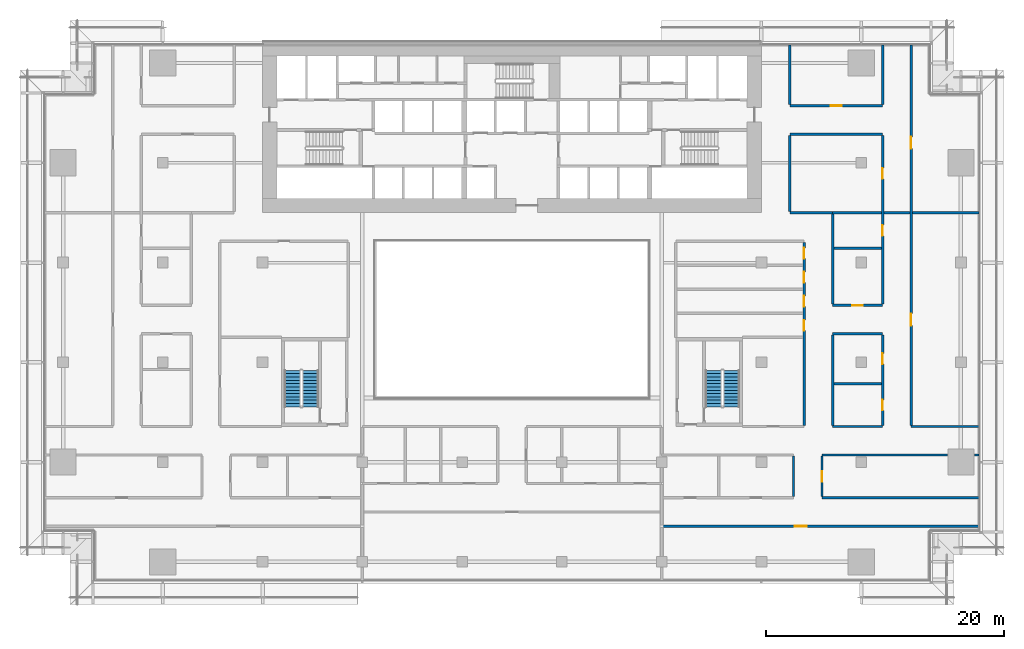
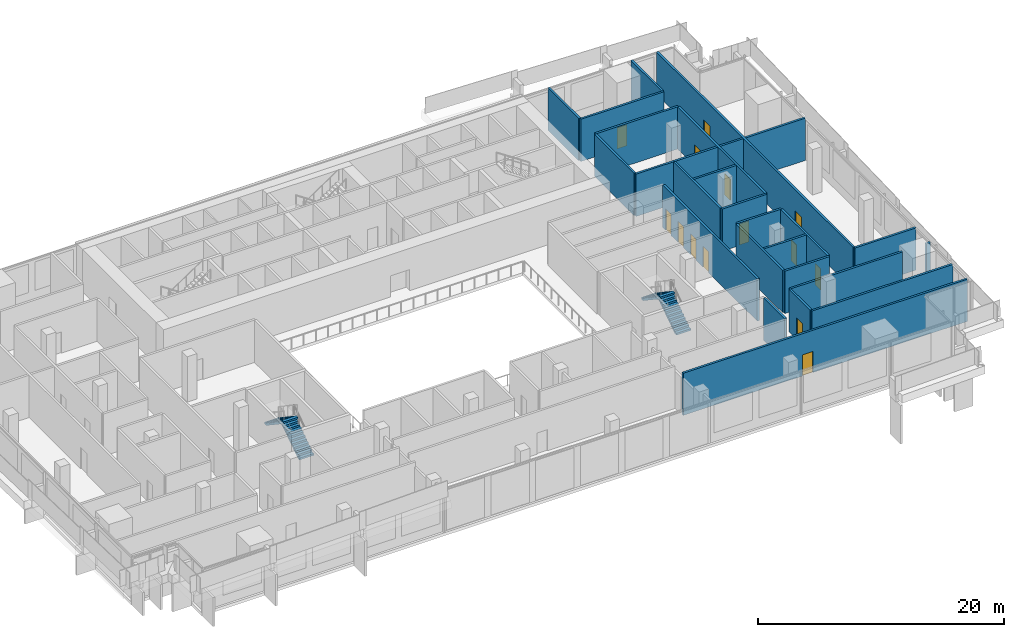
# One storey, part 18 of 23: 27 walls, 14 doors, 4 stair flights, 14 openings, 2 elements without a shape of their own.
"""IFC4 building model written with IfcOpenShell, lengths in metres."""

from ifc_helpers import new_model, si_unit, direction, frame, frame_2d, origin, place, context, subcontext, project, spatial, polyline, rectangle, outline, extrude, material, layer, layer_set, type_object, element, fill, aggregate, save


model = new_model("IFC4")

# Units and contexts
model_context = context("Model", 3, precision=1e-05, world=origin(), true_north=direction((0.0, 1.0)))
body_context = subcontext(model_context, "Body", "Model", "MODEL_VIEW")
ifc_project = project(units=[si_unit("LENGTHUNIT", "METRE"), si_unit("AREAUNIT", "SQUARE_METRE"), si_unit("VOLUMEUNIT", "CUBIC_METRE"), si_unit("PLANEANGLEUNIT", "RADIAN"), si_unit("MASSUNIT", "GRAM", prefix="KILO")], contexts=[model_context])

# Site, building, storey
site_placement = place(None, origin())
site = spatial("IfcSite", under=ifc_project, at=site_placement, CompositionType="ELEMENT")
building_placement = place(site_placement, origin())
building = spatial("IfcBuilding", under=site, at=building_placement, Name="Saffron Gate Tower", CompositionType="ELEMENT")
storey_placement = place(building_placement, frame((0.0, 0.0, 23.699951171875)))
storey = spatial("IfcBuildingStorey", under=building, at=storey_placement, Name="L04", CompositionType="ELEMENT", Elevation=23.699951171875)

# Wall, opening, door
ifc_material_1 = material(Name="Clay brick masonry, rendered", Category="masonry")
ifc_layer_1 = layer(ifc_material_1, 0.199951171875)
ifc_layer_set_1 = layer_set([ifc_layer_1], Name="PW3 Corridor wall 200")
wall_type_1 = type_object("IfcWallType", Name="PW3 Corridor wall 200", PredefinedType="PARTITIONING", material=ifc_layer_set_1)
wall_1_placement = place(storey_placement, frame((126.919921875, 34.800048828125, 0.0), z_axis=(0.0, 0.0, 1.0), x_axis=(-1.0, 0.0, 0.0)))
wall_1 = element("IfcWall", 1, at=wall_1_placement, inside=storey, type_object=wall_type_1, Name="Wall S2-2", PredefinedType="PARTITIONING", context=body_context, shape_type="SweptSolid", body=[
    extrude(rectangle(XDim=26.719970703125, YDim=0.199951171875, at=frame_2d((13.35986328125, 0.0))), origin(), (0.0, 0.0, 1.0), 4.199951171875),
])
opening_1_placement = place(wall_1_placement, frame((14.51611328125, 0.0, 0.0)))
opening_1 = element("IfcOpeningElement", 2, at=opening_1_placement, cuts=wall_1, Name="Opening S2-34", PredefinedType="OPENING", context=body_context, shape_type="SweptSolid", body=[
    extrude(rectangle(XDim=1.0, YDim=2.10009765625, at=frame_2d((0.5, 1.050048828125))), frame((0.0, 0.10986328125, 0.0), z_axis=(0.0, -1.0, 0.0), x_axis=(1.0, 0.0, 0.0)), (0.0, 0.0, 1.0), 0.219970703125),
])
ifc_material_2 = material(Name="Timber door set", Category="wood")
door_type_1 = type_object("IfcDoorType", Name="HD1 Hall door 1200x2100", OperationType="NOTDEFINED", PredefinedType="DOOR", material=ifc_material_2)
door_1_placement = place(opening_1_placement, origin())
door_1 = element("IfcDoor", 3, at=door_1_placement, inside=storey, type_object=door_type_1, Name="Door S2-34", OperationType="SINGLE_SWING_RIGHT", OverallHeight=2.10009765625, OverallWidth=1.0, PredefinedType="DOOR", context=body_context, shape_type="SweptSolid", body=[
    extrude(rectangle(XDim=1.0, YDim=2.10009765625, at=frame_2d((0.5, 1.050048828125))), frame((0.0, 0.02490234375, 0.0), z_axis=(0.0, -1.0, 0.0), x_axis=(1.0, 0.0, 0.0)), (0.0, 0.0, 1.0), 0.050048828125),
])
fill(opening_1, door_1)

# Walls
wall_2_placement = place(storey_placement, frame((113.699951171875, 37.199951171875, 0.0), z_axis=(0.0, 0.0, 1.0), x_axis=(1.0, 0.0, 0.0)))
element("IfcWall", 4, at=wall_2_placement, inside=storey, type_object=wall_type_1, Name="Wall S2-7", PredefinedType="PARTITIONING", context=body_context, shape_type="SweptSolid", body=[
    extrude(rectangle(XDim=13.219970703125, YDim=0.199951171875, at=frame_2d((6.60986328125, 0.0))), origin(), (0.0, 0.0, 1.0), 4.199951171875),
])
wall_3_placement = place(storey_placement, frame((113.699951171875, 40.800048828125, 0.0), z_axis=(0.0, 0.0, 1.0), x_axis=(1.0, 0.0, 0.0)))
element("IfcWall", 5, at=wall_3_placement, inside=storey, type_object=wall_type_1, Name="Wall S2-14", PredefinedType="PARTITIONING", context=body_context, shape_type="SweptSolid", body=[
    extrude(rectangle(XDim=10.580078125, YDim=0.199951171875, at=frame_2d((5.2900390625, 0.0))), origin(), (0.0, 0.0, 1.0), 4.199951171875),
])
wall_4_placement = place(storey_placement, frame((126.52001953125, 40.800048828125, 0.0), z_axis=(0.0, 0.0, 1.0), x_axis=(1.0, 0.0, 0.0)))
element("IfcWall", 6, at=wall_4_placement, inside=storey, type_object=wall_type_1, Name="Wall S2-15", PredefinedType="PARTITIONING", context=body_context, shape_type="SweptSolid", body=[
    extrude(rectangle(XDim=0.39990234375, YDim=0.199951171875, at=frame_2d((0.199951171875, 0.0))), origin(), (0.0, 0.0, 1.0), 4.199951171875),
])
wall_5_placement = place(storey_placement, frame((114.60009765625, 43.199951171875, 0.0), z_axis=(0.0, 0.0, 1.0), x_axis=(1.0, 0.0, 0.0)))
element("IfcWall", 7, at=wall_5_placement, inside=storey, type_object=wall_type_1, Name="Wall S2-22", PredefinedType="PARTITIONING", context=body_context, shape_type="SweptSolid", body=[
    extrude(rectangle(XDim=4.199951171875, YDim=0.199951171875, at=frame_2d((2.10009765625, 0.0))), origin(), (0.0, 0.0, 1.0), 4.199951171875),
])
wall_6_placement = place(storey_placement, frame((121.199951171875, 43.199951171875, 0.0), z_axis=(0.0, 0.0, 1.0), x_axis=(1.0, 0.0, 0.0)))
element("IfcWall", 8, at=wall_6_placement, inside=storey, type_object=wall_type_1, Name="Wall S2-23", PredefinedType="PARTITIONING", context=body_context, shape_type="SweptSolid", body=[
    extrude(rectangle(XDim=5.719970703125, YDim=0.199951171875, at=frame_2d((2.85986328125, 0.0))), origin(), (0.0, 0.0, 1.0), 4.199951171875),
])
wall_7_placement = place(storey_placement, frame((114.60009765625, 51.0, 0.0), z_axis=(0.0, 0.0, 1.0), x_axis=(1.0, 0.0, 0.0)))
element("IfcWall", 9, at=wall_7_placement, inside=storey, type_object=wall_type_1, Name="Wall S2-29", PredefinedType="PARTITIONING", context=body_context, shape_type="SweptSolid", body=[
    extrude(rectangle(XDim=4.199951171875, YDim=0.199951171875, at=frame_2d((2.10009765625, 0.0))), origin(), (0.0, 0.0, 1.0), 4.199951171875),
])

# Wall, opening, door
wall_8_placement = place(storey_placement, frame((114.60009765625, 53.39990234375, 0.0), z_axis=(0.0, 0.0, 1.0), x_axis=(1.0, 0.0, 0.0)))
wall_8 = element("IfcWall", 10, at=wall_8_placement, inside=storey, type_object=wall_type_1, Name="Wall S2-32", PredefinedType="PARTITIONING", context=body_context, shape_type="SweptSolid", body=[
    extrude(rectangle(XDim=4.199951171875, YDim=0.199951171875, at=frame_2d((2.10009765625, 0.0))), origin(), (0.0, 0.0, 1.0), 4.199951171875),
])
opening_2_placement = place(wall_8_placement, frame((1.64990234375, 0.0, 0.0)))
opening_2 = element("IfcOpeningElement", 11, at=opening_2_placement, cuts=wall_8, Name="Opening S2-26", PredefinedType="OPENING", context=body_context, shape_type="SweptSolid", body=[
    extrude(rectangle(XDim=0.89990234375, YDim=2.10009765625, at=frame_2d((0.449951171875, 1.050048828125))), frame((0.0, 0.10986328125, 0.0), z_axis=(0.0, -1.0, 0.0), x_axis=(1.0, 0.0, 0.0)), (0.0, 0.0, 1.0), 0.219970703125),
])
door_type_2 = type_object("IfcDoorType", Name="RD1 Room door 900x2100", OperationType="NOTDEFINED", PredefinedType="DOOR", material=ifc_material_2)
door_2_placement = place(opening_2_placement, origin())
door_2 = element("IfcDoor", 12, at=door_2_placement, inside=storey, type_object=door_type_2, Name="Door S2-26", OperationType="SINGLE_SWING_RIGHT", OverallHeight=2.10009765625, OverallWidth=0.89990234375, PredefinedType="DOOR", context=body_context, shape_type="SweptSolid", body=[
    extrude(rectangle(XDim=0.89990234375, YDim=2.10009765625, at=frame_2d((0.449951171875, 1.050048828125))), frame((0.0, 0.02490234375, 0.0), z_axis=(0.0, -1.0, 0.0), x_axis=(1.0, 0.0, 0.0)), (0.0, 0.0, 1.0), 0.050048828125),
])
fill(opening_2, door_2)

# Walls
wall_9_placement = place(storey_placement, frame((111.0, 61.199951171875, 0.0), z_axis=(0.0, 0.0, 1.0), x_axis=(1.0, 0.0, 0.0)))
element("IfcWall", 13, at=wall_9_placement, inside=storey, type_object=wall_type_1, Name="Wall S2-42", PredefinedType="PARTITIONING", context=body_context, shape_type="SweptSolid", body=[
    extrude(rectangle(XDim=3.60009765625, YDim=0.199951171875, at=frame_2d((1.800048828125, 0.0))), origin(), (0.0, 0.0, 1.0), 4.199951171875),
])
wall_10_placement = place(storey_placement, frame((118.89990234375, 61.199951171875, 0.0), z_axis=(0.0, 0.0, 1.0), x_axis=(1.0, 0.0, 0.0)))
element("IfcWall", 14, at=wall_10_placement, inside=storey, type_object=wall_type_1, Name="Wall S2-43", PredefinedType="PARTITIONING", context=body_context, shape_type="SweptSolid", body=[
    extrude(rectangle(XDim=2.2001953125, YDim=0.199951171875, at=frame_2d((1.10009765625, 0.0))), origin(), (0.0, 0.0, 1.0), 4.199951171875),
])
wall_11_placement = place(storey_placement, frame((111.0, 67.800048828125, 0.0), z_axis=(0.0, 0.0, 1.0), x_axis=(1.0, 0.0, 0.0)))
element("IfcWall", 15, at=wall_11_placement, inside=storey, type_object=wall_type_1, Name="Wall S2-49", PredefinedType="PARTITIONING", context=body_context, shape_type="SweptSolid", body=[
    extrude(rectangle(XDim=7.800048828125, YDim=0.199951171875, at=frame_2d((3.89990234375, 0.0))), origin(), (0.0, 0.0, 1.0), 4.199951171875),
])

# Wall, opening, door
wall_12_placement = place(storey_placement, frame((111.0, 70.199951171875, 0.0), z_axis=(0.0, 0.0, 1.0), x_axis=(1.0, 0.0, 0.0)))
wall_12 = element("IfcWall", 16, at=wall_12_placement, inside=storey, type_object=wall_type_1, Name="Wall S2-51", PredefinedType="PARTITIONING", context=body_context, shape_type="SweptSolid", body=[
    extrude(rectangle(XDim=7.800048828125, YDim=0.199951171875, at=frame_2d((3.89990234375, 0.0))), origin(), (0.0, 0.0, 1.0), 4.199951171875),
])
opening_3_placement = place(wall_12_placement, frame((3.449951171875, 0.0, 0.0)))
opening_3 = element("IfcOpeningElement", 17, at=opening_3_placement, cuts=wall_12, Name="Opening S2-29", PredefinedType="OPENING", context=body_context, shape_type="SweptSolid", body=[
    extrude(rectangle(XDim=0.89990234375, YDim=2.10009765625, at=frame_2d((0.449951171875, 1.050048828125))), frame((0.0, 0.10986328125, 0.0), z_axis=(0.0, -1.0, 0.0), x_axis=(1.0, 0.0, 0.0)), (0.0, 0.0, 1.0), 0.219970703125),
])
door_3_placement = place(opening_3_placement, origin())
door_3 = element("IfcDoor", 18, at=door_3_placement, inside=storey, type_object=door_type_2, Name="Door S2-29", OperationType="SINGLE_SWING_RIGHT", OverallHeight=2.10009765625, OverallWidth=0.89990234375, PredefinedType="DOOR", context=body_context, shape_type="SweptSolid", body=[
    extrude(rectangle(XDim=0.89990234375, YDim=2.10009765625, at=frame_2d((0.449951171875, 1.050048828125))), frame((0.0, 0.02490234375, 0.0), z_axis=(0.0, -1.0, 0.0), x_axis=(1.0, 0.0, 0.0)), (0.0, 0.0, 1.0), 0.050048828125),
])
fill(opening_3, door_3)

# Walls
wall_13_placement = place(storey_placement, frame((111.0, 67.699951171875, 0.0), z_axis=(0.0, 0.0, 1.0), x_axis=(0.0, -1.0, 0.0)))
element("IfcWall", 19, at=wall_13_placement, inside=storey, type_object=wall_type_1, Name="Wall S2-84", PredefinedType="PARTITIONING", context=body_context, shape_type="SweptSolid", body=[
    extrude(rectangle(XDim=6.39990234375, YDim=0.199951171875, at=frame_2d((3.199951171875, 0.0))), origin(), (0.0, 0.0, 1.0), 4.199951171875),
])
wall_14_placement = place(storey_placement, frame((111.0, 75.320068359375, 0.0), z_axis=(0.0, 0.0, 1.0), x_axis=(0.0, -1.0, 0.0)))
element("IfcWall", 20, at=wall_14_placement, inside=storey, type_object=wall_type_1, Name="Wall S2-85", PredefinedType="PARTITIONING", context=body_context, shape_type="SweptSolid", body=[
    extrude(rectangle(XDim=5.02001953125, YDim=0.199951171875, at=frame_2d((2.510009765625, 0.0))), origin(), (0.0, 0.0, 1.0), 4.199951171875),
])
wall_15_placement = place(storey_placement, frame((111.300048828125, 40.699951171875, 0.0), z_axis=(0.0, 0.0, 1.0), x_axis=(0.0, -1.0, 0.0)))
element("IfcWall", 21, at=wall_15_placement, inside=storey, type_object=wall_type_1, Name="Wall S2-86", PredefinedType="PARTITIONING", context=body_context, shape_type="SweptSolid", body=[
    extrude(rectangle(XDim=3.39990234375, YDim=0.199951171875, at=frame_2d((1.699951171875, 0.0))), origin(), (0.0, 0.0, 1.0), 4.199951171875),
])

# Wall, openings, doors
wall_16_placement = place(storey_placement, frame((112.199951171875, 43.300048828125, 0.0), z_axis=(0.0, 0.0, 1.0), x_axis=(0.0, 1.0, 0.0)))
wall_16 = element("IfcWall", 22, at=wall_16_placement, inside=storey, type_object=wall_type_1, Name="Wall S2-87", PredefinedType="PARTITIONING", context=body_context, shape_type="SweptSolid", body=[
    extrude(rectangle(XDim=15.39990234375, YDim=0.199951171875, at=frame_2d((7.699951171875, 0.0))), origin(), (0.0, 0.0, 1.0), 4.199951171875),
])
opening_4_placement = place(wall_16_placement, frame((7.96240234375, 0.0, 0.0)))
opening_4 = element("IfcOpeningElement", 23, at=opening_4_placement, cuts=wall_16, Name="Opening S2-1", PredefinedType="OPENING", context=body_context, shape_type="SweptSolid", body=[
    extrude(rectangle(XDim=0.89990234375, YDim=2.10009765625, at=frame_2d((0.449951171875, 1.050048828125))), frame((0.0, 0.10986328125, 0.0), z_axis=(0.0, -1.0, 0.0), x_axis=(1.0, 0.0, 0.0)), (0.0, 0.0, 1.0), 0.219970703125),
])
opening_5_placement = place(wall_16_placement, frame((9.987548828125, 0.0, 0.0)))
opening_5 = element("IfcOpeningElement", 24, at=opening_5_placement, cuts=wall_16, Name="Opening S2-2", PredefinedType="OPENING", context=body_context, shape_type="SweptSolid", body=[
    extrude(rectangle(XDim=0.89990234375, YDim=2.10009765625, at=frame_2d((0.449951171875, 1.050048828125))), frame((0.0, 0.10986328125, 0.0), z_axis=(0.0, -1.0, 0.0), x_axis=(1.0, 0.0, 0.0)), (0.0, 0.0, 1.0), 0.219970703125),
])
opening_6_placement = place(wall_16_placement, frame((12.012451171875, 0.0, 0.0)))
opening_6 = element("IfcOpeningElement", 25, at=opening_6_placement, cuts=wall_16, Name="Opening S2-3", PredefinedType="OPENING", context=body_context, shape_type="SweptSolid", body=[
    extrude(rectangle(XDim=0.89990234375, YDim=2.10009765625, at=frame_2d((0.449951171875, 1.050048828125))), frame((0.0, 0.10986328125, 0.0), z_axis=(0.0, -1.0, 0.0), x_axis=(1.0, 0.0, 0.0)), (0.0, 0.0, 1.0), 0.219970703125),
])
opening_7_placement = place(wall_16_placement, frame((14.03759765625, 0.0, 0.0)))
opening_7 = element("IfcOpeningElement", 26, at=opening_7_placement, cuts=wall_16, Name="Opening S2-4", PredefinedType="OPENING", context=body_context, shape_type="SweptSolid", body=[
    extrude(rectangle(XDim=0.89990234375, YDim=2.10009765625, at=frame_2d((0.449951171875, 1.050048828125))), frame((0.0, 0.10986328125, 0.0), z_axis=(0.0, -1.0, 0.0), x_axis=(1.0, 0.0, 0.0)), (0.0, 0.0, 1.0), 0.219970703125),
])
door_4_placement = place(opening_4_placement, origin())
door_4 = element("IfcDoor", 27, at=door_4_placement, inside=storey, type_object=door_type_2, Name="Door S2-1", OperationType="SINGLE_SWING_LEFT", OverallHeight=2.10009765625, OverallWidth=0.89990234375, PredefinedType="DOOR", context=body_context, shape_type="SweptSolid", body=[
    extrude(rectangle(XDim=0.89990234375, YDim=2.10009765625, at=frame_2d((0.449951171875, 1.050048828125))), frame((0.0, 0.02490234375, 0.0), z_axis=(0.0, -1.0, 0.0), x_axis=(1.0, 0.0, 0.0)), (0.0, 0.0, 1.0), 0.050048828125),
])
fill(opening_4, door_4)
door_5_placement = place(opening_5_placement, origin())
door_5 = element("IfcDoor", 28, at=door_5_placement, inside=storey, type_object=door_type_2, Name="Door S2-2", OperationType="SINGLE_SWING_LEFT", OverallHeight=2.10009765625, OverallWidth=0.89990234375, PredefinedType="DOOR", context=body_context, shape_type="SweptSolid", body=[
    extrude(rectangle(XDim=0.89990234375, YDim=2.10009765625, at=frame_2d((0.449951171875, 1.050048828125))), frame((0.0, 0.02490234375, 0.0), z_axis=(0.0, -1.0, 0.0), x_axis=(1.0, 0.0, 0.0)), (0.0, 0.0, 1.0), 0.050048828125),
])
fill(opening_5, door_5)
door_6_placement = place(opening_6_placement, origin())
door_6 = element("IfcDoor", 29, at=door_6_placement, inside=storey, type_object=door_type_2, Name="Door S2-3", OperationType="SINGLE_SWING_LEFT", OverallHeight=2.10009765625, OverallWidth=0.89990234375, PredefinedType="DOOR", context=body_context, shape_type="SweptSolid", body=[
    extrude(rectangle(XDim=0.89990234375, YDim=2.10009765625, at=frame_2d((0.449951171875, 1.050048828125))), frame((0.0, 0.02490234375, 0.0), z_axis=(0.0, -1.0, 0.0), x_axis=(1.0, 0.0, 0.0)), (0.0, 0.0, 1.0), 0.050048828125),
])
fill(opening_6, door_6)
door_7_placement = place(opening_7_placement, origin())
door_7 = element("IfcDoor", 30, at=door_7_placement, inside=storey, type_object=door_type_2, Name="Door S2-4", OperationType="SINGLE_SWING_RIGHT", OverallHeight=2.10009765625, OverallWidth=0.89990234375, PredefinedType="DOOR", context=body_context, shape_type="SweptSolid", body=[
    extrude(rectangle(XDim=0.89990234375, YDim=2.10009765625, at=frame_2d((0.449951171875, 1.050048828125))), frame((0.0, 0.02490234375, 0.0), z_axis=(0.0, -1.0, 0.0), x_axis=(1.0, 0.0, 0.0)), (0.0, 0.0, 1.0), 0.050048828125),
])
fill(opening_7, door_7)

# Wall, opening, door
wall_17_placement = place(storey_placement, frame((113.699951171875, 40.699951171875, 0.0), z_axis=(0.0, 0.0, 1.0), x_axis=(0.0, -1.0, 0.0)))
wall_17 = element("IfcWall", 31, at=wall_17_placement, inside=storey, type_object=wall_type_1, Name="Wall S2-88", PredefinedType="PARTITIONING", context=body_context, shape_type="SweptSolid", body=[
    extrude(rectangle(XDim=3.39990234375, YDim=0.199951171875, at=frame_2d((1.699951171875, 0.0))), origin(), (0.0, 0.0, 1.0), 4.199951171875),
])
opening_8_placement = place(wall_17_placement, frame((1.25, 0.0, 0.0)))
opening_8 = element("IfcOpeningElement", 32, at=opening_8_placement, cuts=wall_17, Name="Opening S2-17", PredefinedType="OPENING", context=body_context, shape_type="SweptSolid", body=[
    extrude(rectangle(XDim=0.89990234375, YDim=2.10009765625, at=frame_2d((0.449951171875, 1.050048828125))), frame((0.0, 0.10986328125, 0.0), z_axis=(0.0, -1.0, 0.0), x_axis=(1.0, 0.0, 0.0)), (0.0, 0.0, 1.0), 0.219970703125),
])
door_8_placement = place(opening_8_placement, origin())
door_8 = element("IfcDoor", 33, at=door_8_placement, inside=storey, type_object=door_type_2, Name="Door S2-17", OperationType="SINGLE_SWING_LEFT", OverallHeight=2.10009765625, OverallWidth=0.89990234375, PredefinedType="DOOR", context=body_context, shape_type="SweptSolid", body=[
    extrude(rectangle(XDim=0.89990234375, YDim=2.10009765625, at=frame_2d((0.449951171875, 1.050048828125))), frame((0.0, 0.02490234375, 0.0), z_axis=(0.0, -1.0, 0.0), x_axis=(1.0, 0.0, 0.0)), (0.0, 0.0, 1.0), 0.050048828125),
])
fill(opening_8, door_8)

# Walls
wall_18_placement = place(storey_placement, frame((114.60009765625, 50.89990234375, 0.0), z_axis=(0.0, 0.0, 1.0), x_axis=(0.0, -1.0, 0.0)))
element("IfcWall", 34, at=wall_18_placement, inside=storey, type_object=wall_type_1, Name="Wall S2-89", PredefinedType="PARTITIONING", context=body_context, shape_type="SweptSolid", body=[
    extrude(rectangle(XDim=7.599853515625, YDim=0.199951171875, at=frame_2d((3.7998046875, 0.0))), origin(), (0.0, 0.0, 1.0), 4.199951171875),
])
wall_19_placement = place(storey_placement, frame((114.60009765625, 61.10009765625, 0.0), z_axis=(0.0, 0.0, 1.0), x_axis=(0.0, -1.0, 0.0)))
element("IfcWall", 35, at=wall_19_placement, inside=storey, type_object=wall_type_1, Name="Wall S2-90", PredefinedType="PARTITIONING", context=body_context, shape_type="SweptSolid", body=[
    extrude(rectangle(XDim=7.60009765625, YDim=0.199951171875, at=frame_2d((3.800048828125, 0.0))), origin(), (0.0, 0.0, 1.0), 4.199951171875),
])

# Wall, openings, doors
wall_20_placement = place(storey_placement, frame((118.800048828125, 43.300048828125, 0.0), z_axis=(0.0, 0.0, 1.0), x_axis=(0.0, 1.0, 0.0)))
wall_20 = element("IfcWall", 36, at=wall_20_placement, inside=storey, type_object=wall_type_1, Name="Wall S2-91", PredefinedType="PARTITIONING", context=body_context, shape_type="SweptSolid", body=[
    extrude(rectangle(XDim=7.599853515625, YDim=0.199951171875, at=frame_2d((3.7998046875, 0.0))), origin(), (0.0, 0.0, 1.0), 4.199951171875),
])
opening_9_placement = place(wall_20_placement, frame((1.25, 0.0, 0.0)))
opening_9 = element("IfcOpeningElement", 37, at=opening_9_placement, cuts=wall_20, Name="Opening S2-24", PredefinedType="OPENING", context=body_context, shape_type="SweptSolid", body=[
    extrude(rectangle(XDim=0.89990234375, YDim=2.10009765625, at=frame_2d((0.449951171875, 1.050048828125))), frame((0.0, 0.10986328125, 0.0), z_axis=(0.0, -1.0, 0.0), x_axis=(1.0, 0.0, 0.0)), (0.0, 0.0, 1.0), 0.219970703125),
])
opening_10_placement = place(wall_20_placement, frame((5.14990234375, 0.0, 0.0)))
opening_10 = element("IfcOpeningElement", 38, at=opening_10_placement, cuts=wall_20, Name="Opening S2-25", PredefinedType="OPENING", context=body_context, shape_type="SweptSolid", body=[
    extrude(rectangle(XDim=0.89990234375, YDim=2.10009765625, at=frame_2d((0.449951171875, 1.050048828125))), frame((0.0, 0.10986328125, 0.0), z_axis=(0.0, -1.0, 0.0), x_axis=(1.0, 0.0, 0.0)), (0.0, 0.0, 1.0), 0.219970703125),
])
door_9_placement = place(opening_9_placement, origin())
door_9 = element("IfcDoor", 39, at=door_9_placement, inside=storey, type_object=door_type_2, Name="Door S2-24", OperationType="SINGLE_SWING_LEFT", OverallHeight=2.10009765625, OverallWidth=0.89990234375, PredefinedType="DOOR", context=body_context, shape_type="SweptSolid", body=[
    extrude(rectangle(XDim=0.89990234375, YDim=2.10009765625, at=frame_2d((0.449951171875, 1.050048828125))), frame((0.0, 0.02490234375, 0.0), z_axis=(0.0, -1.0, 0.0), x_axis=(1.0, 0.0, 0.0)), (0.0, 0.0, 1.0), 0.050048828125),
])
fill(opening_9, door_9)
door_10_placement = place(opening_10_placement, origin())
door_10 = element("IfcDoor", 40, at=door_10_placement, inside=storey, type_object=door_type_2, Name="Door S2-25", OperationType="SINGLE_SWING_RIGHT", OverallHeight=2.10009765625, OverallWidth=0.89990234375, PredefinedType="DOOR", context=body_context, shape_type="SweptSolid", body=[
    extrude(rectangle(XDim=0.89990234375, YDim=2.10009765625, at=frame_2d((0.449951171875, 1.050048828125))), frame((0.0, 0.02490234375, 0.0), z_axis=(0.0, -1.0, 0.0), x_axis=(1.0, 0.0, 0.0)), (0.0, 0.0, 1.0), 0.050048828125),
])
fill(opening_10, door_10)

wall_21_placement = place(storey_placement, frame((118.800048828125, 53.5, 0.0), z_axis=(0.0, 0.0, 1.0), x_axis=(0.0, 1.0, 0.0)))
wall_21 = element("IfcWall", 41, at=wall_21_placement, inside=storey, type_object=wall_type_1, Name="Wall S2-92", PredefinedType="PARTITIONING", context=body_context, shape_type="SweptSolid", body=[
    extrude(rectangle(XDim=14.199951171875, YDim=0.199951171875, at=frame_2d((7.10009765625, 0.0))), origin(), (0.0, 0.0, 1.0), 4.199951171875),
])
opening_11_placement = place(wall_21_placement, frame((5.75, 0.0, 0.0)))
opening_11 = element("IfcOpeningElement", 42, at=opening_11_placement, cuts=wall_21, Name="Opening S2-27", PredefinedType="OPENING", context=body_context, shape_type="SweptSolid", body=[
    extrude(rectangle(XDim=0.89990234375, YDim=2.10009765625, at=frame_2d((0.449951171875, 1.050048828125))), frame((0.0, 0.10986328125, 0.0), z_axis=(0.0, -1.0, 0.0), x_axis=(1.0, 0.0, 0.0)), (0.0, 0.0, 1.0), 0.219970703125),
])
opening_12_placement = place(wall_21_placement, frame((10.550048828125, 0.0, 0.0)))
opening_12 = element("IfcOpeningElement", 43, at=opening_12_placement, cuts=wall_21, Name="Opening S2-28", PredefinedType="OPENING", context=body_context, shape_type="SweptSolid", body=[
    extrude(rectangle(XDim=0.89990234375, YDim=2.10009765625, at=frame_2d((0.449951171875, 1.050048828125))), frame((0.0, 0.10986328125, 0.0), z_axis=(0.0, -1.0, 0.0), x_axis=(1.0, 0.0, 0.0)), (0.0, 0.0, 1.0), 0.219970703125),
])
door_11_placement = place(opening_11_placement, origin())
door_11 = element("IfcDoor", 44, at=door_11_placement, inside=storey, type_object=door_type_2, Name="Door S2-27", OperationType="SINGLE_SWING_LEFT", OverallHeight=2.10009765625, OverallWidth=0.89990234375, PredefinedType="DOOR", context=body_context, shape_type="SweptSolid", body=[
    extrude(rectangle(XDim=0.89990234375, YDim=2.10009765625, at=frame_2d((0.449951171875, 1.050048828125))), frame((0.0, 0.02490234375, 0.0), z_axis=(0.0, -1.0, 0.0), x_axis=(1.0, 0.0, 0.0)), (0.0, 0.0, 1.0), 0.050048828125),
])
fill(opening_11, door_11)
door_12_placement = place(opening_12_placement, origin())
door_12 = element("IfcDoor", 45, at=door_12_placement, inside=storey, type_object=door_type_2, Name="Door S2-28", OperationType="SINGLE_SWING_RIGHT", OverallHeight=2.10009765625, OverallWidth=0.89990234375, PredefinedType="DOOR", context=body_context, shape_type="SweptSolid", body=[
    extrude(rectangle(XDim=0.89990234375, YDim=2.10009765625, at=frame_2d((0.449951171875, 1.050048828125))), frame((0.0, 0.02490234375, 0.0), z_axis=(0.0, -1.0, 0.0), x_axis=(1.0, 0.0, 0.0)), (0.0, 0.0, 1.0), 0.050048828125),
])
fill(opening_12, door_12)

# Wall
wall_22_placement = place(storey_placement, frame((118.800048828125, 75.320068359375, 0.0), z_axis=(0.0, 0.0, 1.0), x_axis=(0.0, -1.0, 0.0)))
element("IfcWall", 46, at=wall_22_placement, inside=storey, type_object=wall_type_1, Name="Wall S2-93", PredefinedType="PARTITIONING", context=body_context, shape_type="SweptSolid", body=[
    extrude(rectangle(XDim=5.02001953125, YDim=0.199951171875, at=frame_2d((2.510009765625, 0.0))), origin(), (0.0, 0.0, 1.0), 4.199951171875),
])

# Wall, openings, doors
wall_23_placement = place(storey_placement, frame((121.199951171875, 75.320068359375, 0.0), z_axis=(0.0, 0.0, 1.0), x_axis=(0.0, -1.0, 0.0)))
wall_23 = element("IfcWall", 47, at=wall_23_placement, inside=storey, type_object=wall_type_1, Name="Wall S2-94", PredefinedType="PARTITIONING", context=body_context, shape_type="SweptSolid", body=[
    extrude(rectangle(XDim=32.02001953125, YDim=0.199951171875, at=frame_2d((16.010009765625, 0.0))), origin(), (0.0, 0.0, 1.0), 4.199951171875),
])
opening_13_placement = place(wall_23_placement, frame((7.728515625, 0.0, 0.0)))
opening_13 = element("IfcOpeningElement", 48, at=opening_13_placement, cuts=wall_23, Name="Opening S2-38", PredefinedType="OPENING", context=body_context, shape_type="SweptSolid", body=[
    extrude(rectangle(XDim=1.0, YDim=2.10009765625, at=frame_2d((0.5, 1.050048828125))), frame((0.0, 0.10986328125, 0.0), z_axis=(0.0, -1.0, 0.0), x_axis=(1.0, 0.0, 0.0)), (0.0, 0.0, 1.0), 0.219970703125),
])
opening_14_placement = place(wall_23_placement, frame((22.6201171875, 0.0, 0.0)))
opening_14 = element("IfcOpeningElement", 49, at=opening_14_placement, cuts=wall_23, Name="Opening S2-37", PredefinedType="OPENING", context=body_context, shape_type="SweptSolid", body=[
    extrude(rectangle(XDim=1.0, YDim=2.10009765625, at=frame_2d((0.5, 1.050048828125))), frame((0.0, 0.10986328125, 0.0), z_axis=(0.0, -1.0, 0.0), x_axis=(1.0, 0.0, 0.0)), (0.0, 0.0, 1.0), 0.219970703125),
])
door_13_placement = place(opening_13_placement, origin())
door_13 = element("IfcDoor", 50, at=door_13_placement, inside=storey, type_object=door_type_1, Name="Door S2-38", OperationType="SINGLE_SWING_RIGHT", OverallHeight=2.10009765625, OverallWidth=1.0, PredefinedType="DOOR", context=body_context, shape_type="SweptSolid", body=[
    extrude(rectangle(XDim=1.0, YDim=2.10009765625, at=frame_2d((0.5, 1.050048828125))), frame((0.0, 0.02490234375, 0.0), z_axis=(0.0, -1.0, 0.0), x_axis=(1.0, 0.0, 0.0)), (0.0, 0.0, 1.0), 0.050048828125),
])
fill(opening_13, door_13)
door_14_placement = place(opening_14_placement, origin())
door_14 = element("IfcDoor", 51, at=door_14_placement, inside=storey, type_object=door_type_1, Name="Door S2-37", OperationType="SINGLE_SWING_RIGHT", OverallHeight=2.10009765625, OverallWidth=1.0, PredefinedType="DOOR", context=body_context, shape_type="SweptSolid", body=[
    extrude(rectangle(XDim=1.0, YDim=2.10009765625, at=frame_2d((0.5, 1.050048828125))), frame((0.0, 0.02490234375, 0.0), z_axis=(0.0, -1.0, 0.0), x_axis=(1.0, 0.0, 0.0)), (0.0, 0.0, 1.0), 0.050048828125),
])
fill(opening_14, door_14)

# Walls
ifc_layer_2 = layer(ifc_material_1, 0.199951171875)
ifc_layer_set_2 = layer_set([ifc_layer_2], Name="PW5 Room wall 200")
wall_type_2 = type_object("IfcWallType", Name="PW5 Room wall 200", PredefinedType="PARTITIONING", material=ifc_layer_set_2)
for number, where, z_axis, x_axis, name in (
    (52, (114.699951171875, 46.800048828125, 0.0), (0.0, 0.0, 1.0), (1.0, 0.0, 0.0), "Wall S2-24"),
    (53, (114.699951171875, 58.199951171875, 0.0), (0.0, 0.0, 1.0), (1.0, 0.0, 0.0), "Wall S2-37"),
):
    element("IfcWall", number, at=place(storey_placement, frame(where, z_axis=z_axis, x_axis=x_axis)), inside=storey, type_object=wall_type_2, Name=name, PredefinedType="PARTITIONING", context=body_context, shape_type="SweptSolid", body=[
        extrude(rectangle(XDim=4.0, YDim=0.199951171875, at=frame_2d((2.0, 0.0))), origin(), (0.0, 0.0, 1.0), 4.199951171875),
    ])
wall_24_placement = place(storey_placement, frame((114.60009765625, 61.199951171875, 0.0), z_axis=(0.0, 0.0, 1.0), x_axis=(1.0, 0.0, 0.0)))
element("IfcWall", 54, at=wall_24_placement, inside=storey, type_object=wall_type_2, Name="Wall S2-46", PredefinedType="PARTITIONING", context=body_context, shape_type="SweptSolid", body=[
    extrude(rectangle(XDim=4.099853515625, YDim=0.199951171875, at=frame_2d((2.0498046875, 0.0))), origin(), (0.0, 0.0, 1.0), 4.199951171875),
])
wall_25_placement = place(storey_placement, frame((121.300048828125, 61.199951171875, 0.0), z_axis=(0.0, 0.0, 1.0), x_axis=(1.0, 0.0, 0.0)))
element("IfcWall", 55, at=wall_25_placement, inside=storey, type_object=wall_type_2, Name="Wall S2-47", PredefinedType="PARTITIONING", context=body_context, shape_type="SweptSolid", body=[
    extrude(rectangle(XDim=5.619873046875, YDim=0.199951171875, at=frame_2d((2.81005859375, 0.0))), origin(), (0.0, 0.0, 1.0), 4.199951171875),
])

# Stair, stair flights
ifc_material_3 = material(Name="Concrete C40", Category="concrete")
stair_type = type_object("IfcStairType", Name="ST6 Stair 1350 wide, 24 risers of 188", PredefinedType="HALF_TURN_STAIR", material=ifc_material_3)
stair_1_placement = place(storey_placement, origin())
stair_1 = element("IfcStair", 56, at=stair_1_placement, inside=storey, type_object=stair_type, Name="L04 Exit stair D", PredefinedType="HALF_TURN_STAIR")
stair_flight_type = type_object("IfcStairFlightType", Name="SF2 Stair flight 1350 wide, riser 188 going 280", PredefinedType="STRAIGHT", material=ifc_material_3)
stair_flight_1_placement = place(storey_placement, frame((70.625, 44.85009765625, 0.0), z_axis=(0.0, 0.0, 1.0), x_axis=(0.0, 1.0, 0.0)))
stair_flight_1 = element("IfcStairFlight", 57, at=stair_flight_1_placement, type_object=stair_flight_type, Name="ST-D flight 1", NumberOfRisers=12, NumberOfTreads=11, PredefinedType="STRAIGHT", RiserHeight=0.1875, TreadLength=0.28, context=body_context, shape_type="SweptSolid", body=[
    extrude(outline(polyline([(0.0, 0.0), (0.0, 0.1875), (0.280029296875, 0.1875), (0.280029296875, 0.375), (0.56005859375, 0.375), (0.56005859375, 0.5625), (0.840087890625, 0.5625), (0.840087890625, 0.75), (1.1201171875, 0.75), (1.1201171875, 0.9375), (1.39990234375, 0.9375), (1.39990234375, 1.125), (1.679931640625, 1.125), (1.679931640625, 1.3125), (1.9599609375, 1.3125), (1.9599609375, 1.5), (2.239990234375, 1.5), (2.239990234375, 1.6875), (2.52001953125, 1.6875), (2.52001953125, 1.875), (2.800048828125, 1.875), (2.800048828125, 2.0625), (3.080078125, 2.0625), (3.080078125, 2.25), (3.080078125, 1.882080078125), (0.26953125, 0.0), (0.0, 0.0)])), frame((0.0, 0.675048828125, 0.0), z_axis=(0.0, -1.0, 0.0), x_axis=(1.0, 0.0, 0.0)), (0.0, 0.0, 1.0), 1.35009765625),
])
stair_flight_2_placement = place(storey_placement, frame((69.125, 47.929931640625, 2.25), z_axis=(0.0, 0.0, 1.0), x_axis=(0.0, -1.0, 0.0)))
stair_flight_2 = element("IfcStairFlight", 58, at=stair_flight_2_placement, type_object=stair_flight_type, Name="ST-D flight 2", NumberOfRisers=12, NumberOfTreads=11, PredefinedType="STRAIGHT", RiserHeight=0.1875, TreadLength=0.28, context=body_context, shape_type="SweptSolid", body=[
    extrude(outline(polyline([(0.0, 0.0), (0.0, 0.1875), (0.280029296875, 0.1875), (0.280029296875, 0.375), (0.56005859375, 0.375), (0.56005859375, 0.5625), (0.840087890625, 0.5625), (0.840087890625, 0.75), (1.1201171875, 0.75), (1.1201171875, 0.9375), (1.39990234375, 0.9375), (1.39990234375, 1.125), (1.679931640625, 1.125), (1.679931640625, 1.3125), (1.9599609375, 1.3125), (1.9599609375, 1.5), (2.239990234375, 1.5), (2.239990234375, 1.6875), (2.52001953125, 1.6875), (2.52001953125, 1.875), (2.800048828125, 1.875), (2.800048828125, 2.0625), (3.080078125, 2.0625), (3.080078125, 2.25), (3.080078125, 1.882080078125), (0.26953125, 0.0), (0.0, 0.0)])), frame((0.0, 0.675048828125, 0.0), z_axis=(0.0, -1.0, 0.0), x_axis=(1.0, 0.0, 0.0)), (0.0, 0.0, 1.0), 1.35009765625),
])
aggregate(stair_1, [stair_flight_1, stair_flight_2])

stair_2_placement = place(storey_placement, origin())
stair_2 = element("IfcStair", 59, at=stair_2_placement, inside=storey, type_object=stair_type, Name="L04 Exit stair E", PredefinedType="HALF_TURN_STAIR")
stair_flight_3_placement = place(storey_placement, frame((106.074951171875, 44.85009765625, 0.0), z_axis=(0.0, 0.0, 1.0), x_axis=(0.0, 1.0, 0.0)))
stair_flight_3 = element("IfcStairFlight", 60, at=stair_flight_3_placement, type_object=stair_flight_type, Name="ST-E flight 1", NumberOfRisers=12, NumberOfTreads=11, PredefinedType="STRAIGHT", RiserHeight=0.1875, TreadLength=0.28, context=body_context, shape_type="SweptSolid", body=[
    extrude(outline(polyline([(0.0, 0.0), (0.0, 0.1875), (0.280029296875, 0.1875), (0.280029296875, 0.375), (0.56005859375, 0.375), (0.56005859375, 0.5625), (0.840087890625, 0.5625), (0.840087890625, 0.75), (1.1201171875, 0.75), (1.1201171875, 0.9375), (1.39990234375, 0.9375), (1.39990234375, 1.125), (1.679931640625, 1.125), (1.679931640625, 1.3125), (1.9599609375, 1.3125), (1.9599609375, 1.5), (2.239990234375, 1.5), (2.239990234375, 1.6875), (2.52001953125, 1.6875), (2.52001953125, 1.875), (2.800048828125, 1.875), (2.800048828125, 2.0625), (3.080078125, 2.0625), (3.080078125, 2.25), (3.080078125, 1.882080078125), (0.26953125, 0.0), (0.0, 0.0)])), frame((0.0, 0.675048828125, 0.0), z_axis=(0.0, -1.0, 0.0), x_axis=(1.0, 0.0, 0.0)), (0.0, 0.0, 1.0), 1.35009765625),
])
stair_flight_4_placement = place(storey_placement, frame((104.574951171875, 47.929931640625, 2.25), z_axis=(0.0, 0.0, 1.0), x_axis=(0.0, -1.0, 0.0)))
stair_flight_4 = element("IfcStairFlight", 61, at=stair_flight_4_placement, type_object=stair_flight_type, Name="ST-E flight 2", NumberOfRisers=12, NumberOfTreads=11, PredefinedType="STRAIGHT", RiserHeight=0.1875, TreadLength=0.28, context=body_context, shape_type="SweptSolid", body=[
    extrude(outline(polyline([(0.0, 0.0), (0.0, 0.1875), (0.280029296875, 0.1875), (0.280029296875, 0.375), (0.56005859375, 0.375), (0.56005859375, 0.5625), (0.840087890625, 0.5625), (0.840087890625, 0.75), (1.1201171875, 0.75), (1.1201171875, 0.9375), (1.39990234375, 0.9375), (1.39990234375, 1.125), (1.679931640625, 1.125), (1.679931640625, 1.3125), (1.9599609375, 1.3125), (1.9599609375, 1.5), (2.239990234375, 1.5), (2.239990234375, 1.6875), (2.52001953125, 1.6875), (2.52001953125, 1.875), (2.800048828125, 1.875), (2.800048828125, 2.0625), (3.080078125, 2.0625), (3.080078125, 2.25), (3.080078125, 1.882080078125), (0.26953125, 0.0), (0.0, 0.0)])), frame((0.0, 0.675048828125, 0.0), z_axis=(0.0, -1.0, 0.0), x_axis=(1.0, 0.0, 0.0)), (0.0, 0.0, 1.0), 1.35009765625),
])
aggregate(stair_2, [stair_flight_3, stair_flight_4])

save(model, "model.ifc")
